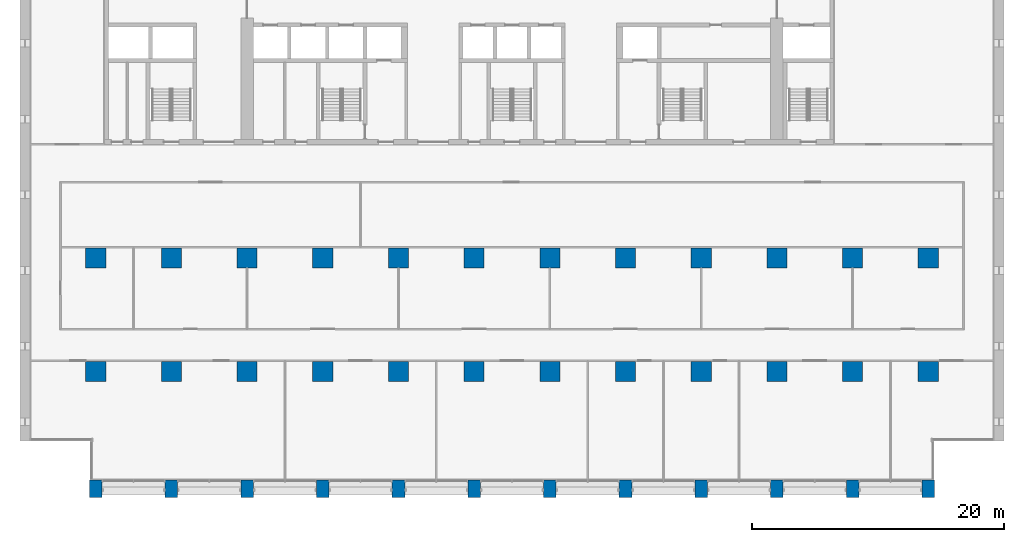
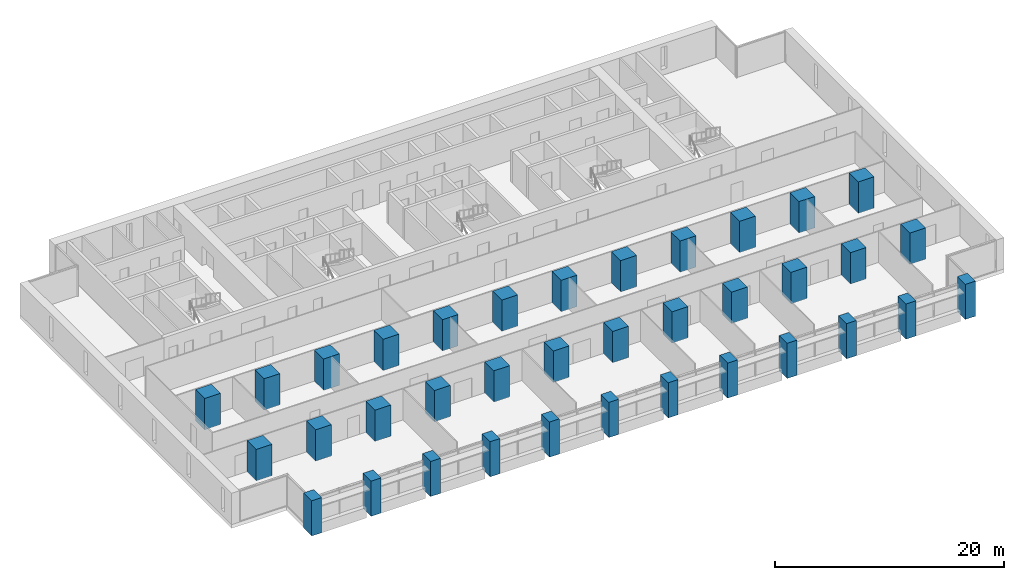
# One storey, part 1 of 18: 36 columns.
"""IFC4 building model written with IfcOpenShell, lengths in metres."""

from ifc_helpers import new_model, si_unit, direction, frame, origin, origin_2d, place, context, subcontext, project, spatial, rectangle, extrude, material, material_profile, profile_set, type_object, element, save


model = new_model("IFC4")

# Units and contexts
model_context = context("Model", 3, precision=1e-05, world=origin(), true_north=direction((0.0, 1.0)))
body_context = subcontext(model_context, "Body", "Model", "MODEL_VIEW")
ifc_project = project(units=[si_unit("LENGTHUNIT", "METRE"), si_unit("AREAUNIT", "SQUARE_METRE"), si_unit("VOLUMEUNIT", "CUBIC_METRE"), si_unit("PLANEANGLEUNIT", "RADIAN"), si_unit("MASSUNIT", "GRAM", prefix="KILO")], contexts=[model_context])

# Site, building, storey
site_placement = place(None, origin())
site = spatial("IfcSite", under=ifc_project, at=site_placement, CompositionType="ELEMENT")
building_placement = place(site_placement, origin())
building = spatial("IfcBuilding", under=site, at=building_placement, Name="Calvaro Tower", CompositionType="ELEMENT")
storey_placement = place(building_placement, frame((0.0, 0.0, 63.75)))
storey = spatial("IfcBuildingStorey", under=building, at=storey_placement, Name="L15", CompositionType="ELEMENT", Elevation=63.75)

# Columns
ifc_material_1 = material(Name="Concrete C80/95", Category="concrete")
ifc_material_profile_1 = material_profile(ifc_material_1, rectangle(XDim=1.60009765625, YDim=1.60009765625, at=origin_2d()), Name="RC 1600x1600")
ifc_profile_set_1 = profile_set([ifc_material_profile_1], Name="Concrete C80/95")
column_type_1 = type_object("IfcColumnType", Name="Column 1600x1600 C80/95", PredefinedType="COLUMN", material=ifc_profile_set_1)
for number, where, z_axis, x_axis, name in (
    (1, (6.0, 10.0, 0.0), (0.0, 0.0, 1.0), (1.0, 0.0, 0.0), "Column 2B"),
    (2, (6.0, 19.0, 0.0), (0.0, 0.0, 1.0), (1.0, 0.0, 0.0), "Column 2C"),
    (3, (12.0, 10.0, 0.0), (0.0, 0.0, 1.0), (1.0, 0.0, 0.0), "Column 3B"),
    (4, (12.0, 19.0, 0.0), (0.0, 0.0, 1.0), (1.0, 0.0, 0.0), "Column 3C"),
    (5, (18.0, 10.0, 0.0), (0.0, 0.0, 1.0), (1.0, 0.0, 0.0), "Column 4B"),
    (6, (18.0, 19.0, 0.0), (0.0, 0.0, 1.0), (1.0, 0.0, 0.0), "Column 4C"),
    (7, (24.0, 10.0, 0.0), (0.0, 0.0, 1.0), (1.0, 0.0, 0.0), "Column 5B"),
    (8, (24.0, 19.0, 0.0), (0.0, 0.0, 1.0), (1.0, 0.0, 0.0), "Column 5C"),
    (9, (30.0, 10.0, 0.0), (0.0, 0.0, 1.0), (1.0, 0.0, 0.0), "Column 6B"),
    (10, (30.0, 19.0, 0.0), (0.0, 0.0, 1.0), (1.0, 0.0, 0.0), "Column 6C"),
    (11, (36.0, 10.0, 0.0), (0.0, 0.0, 1.0), (1.0, 0.0, 0.0), "Column 7B"),
    (12, (36.0, 19.0, 0.0), (0.0, 0.0, 1.0), (1.0, 0.0, 0.0), "Column 7C"),
    (13, (42.0, 10.0, 0.0), (0.0, 0.0, 1.0), (1.0, 0.0, 0.0), "Column 8B"),
    (14, (42.0, 19.0, 0.0), (0.0, 0.0, 1.0), (1.0, 0.0, 0.0), "Column 8C"),
    (15, (48.0, 10.0, 0.0), (0.0, 0.0, 1.0), (1.0, 0.0, 0.0), "Column 9B"),
    (16, (48.0, 19.0, 0.0), (0.0, 0.0, 1.0), (1.0, 0.0, 0.0), "Column 9C"),
    (17, (54.0, 10.0, 0.0), (0.0, 0.0, 1.0), (1.0, 0.0, 0.0), "Column 10B"),
    (18, (54.0, 19.0, 0.0), (0.0, 0.0, 1.0), (1.0, 0.0, 0.0), "Column 10C"),
    (19, (60.0, 10.0, 0.0), (0.0, 0.0, 1.0), (1.0, 0.0, 0.0), "Column 11B"),
    (20, (60.0, 19.0, 0.0), (0.0, 0.0, 1.0), (1.0, 0.0, 0.0), "Column 11C"),
    (21, (66.0, 10.0, 0.0), (0.0, 0.0, 1.0), (1.0, 0.0, 0.0), "Column 12B"),
    (22, (66.0, 19.0, 0.0), (0.0, 0.0, 1.0), (1.0, 0.0, 0.0), "Column 12C"),
    (23, (72.0, 10.0, 0.0), (0.0, 0.0, 1.0), (1.0, 0.0, 0.0), "Column 13B"),
    (24, (72.0, 19.0, 0.0), (0.0, 0.0, 1.0), (1.0, 0.0, 0.0), "Column 13C"),
):
    element("IfcColumn", number, at=place(storey_placement, frame(where, z_axis=z_axis, x_axis=x_axis)), inside=storey, type_object=column_type_1, Name=name, PredefinedType="COLUMN", context=body_context, shape_type="SweptSolid", body=[
        extrude(rectangle(XDim=1.60009765625, YDim=1.60009765625, at=origin_2d()), origin(), (0.0, 0.0, 1.0), 3.35009765625),
    ])
ifc_material_2 = material(Name="Concrete C80/95", Category="concrete")
ifc_material_profile_2 = material_profile(ifc_material_2, rectangle(XDim=1.0, YDim=1.39990234375, at=origin_2d()), Name="RC 1000x1400")
ifc_profile_set_2 = profile_set([ifc_material_profile_2], Name="Concrete C80/95")
column_type_2 = type_object("IfcColumnType", Name="Pier 1000x1400 C80/95", PredefinedType="COLUMN", material=ifc_profile_set_2)
for number, where, z_axis, x_axis, name in (
    (25, (6.0, 0.699951171875, -0.39990234375), (0.0, 0.0, 1.0), (1.0, 0.0, 0.0), "South pier 2"),
    (26, (12.0, 0.699951171875, -0.39990234375), (0.0, 0.0, 1.0), (1.0, 0.0, 0.0), "South pier 3"),
    (27, (18.0, 0.699951171875, -0.39990234375), (0.0, 0.0, 1.0), (1.0, 0.0, 0.0), "South pier 4"),
    (28, (24.0, 0.699951171875, -0.39990234375), (0.0, 0.0, 1.0), (1.0, 0.0, 0.0), "South pier 5"),
    (29, (30.0, 0.699951171875, -0.39990234375), (0.0, 0.0, 1.0), (1.0, 0.0, 0.0), "South pier 6"),
    (30, (36.0, 0.699951171875, -0.39990234375), (0.0, 0.0, 1.0), (1.0, 0.0, 0.0), "South pier 7"),
    (31, (42.0, 0.699951171875, -0.39990234375), (0.0, 0.0, 1.0), (1.0, 0.0, 0.0), "South pier 8"),
    (32, (48.0, 0.699951171875, -0.39990234375), (0.0, 0.0, 1.0), (1.0, 0.0, 0.0), "South pier 9"),
    (33, (54.0, 0.699951171875, -0.39990234375), (0.0, 0.0, 1.0), (1.0, 0.0, 0.0), "South pier 10"),
    (34, (60.0, 0.699951171875, -0.39990234375), (0.0, 0.0, 1.0), (1.0, 0.0, 0.0), "South pier 11"),
    (35, (66.0, 0.699951171875, -0.39990234375), (0.0, 0.0, 1.0), (1.0, 0.0, 0.0), "South pier 12"),
    (36, (72.0, 0.699951171875, -0.39990234375), (0.0, 0.0, 1.0), (1.0, 0.0, 0.0), "South pier 13"),
):
    element("IfcColumn", number, at=place(storey_placement, frame(where, z_axis=z_axis, x_axis=x_axis)), inside=storey, type_object=column_type_2, Name=name, PredefinedType="COLUMN", context=body_context, shape_type="SweptSolid", body=[
        extrude(rectangle(XDim=1.0, YDim=1.39990234375, at=origin_2d()), origin(), (0.0, 0.0, 1.0), 3.75),
    ])

save(model, "model.ifc")
